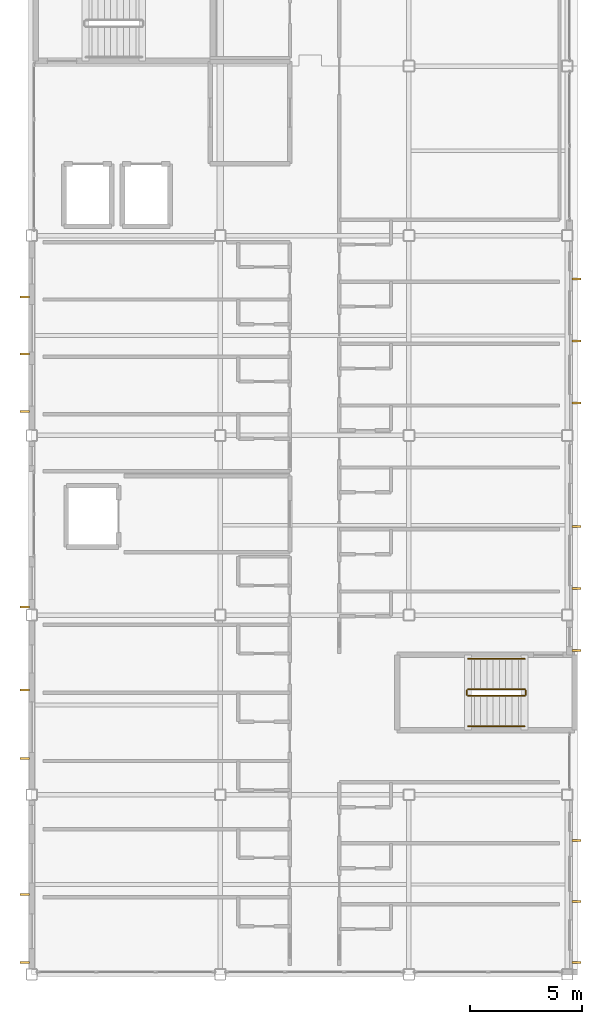
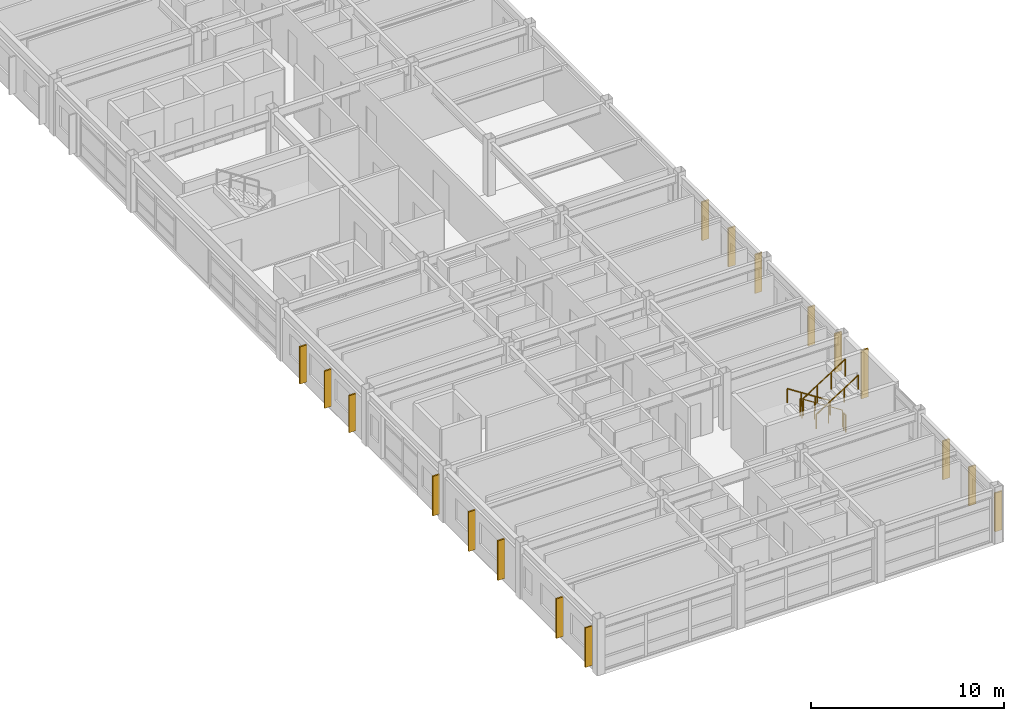
# One storey, part 33 of 35: 17 coverings, 6 railings.
"""IFC4 building model written with IfcOpenShell, lengths in metres."""

from ifc_helpers import new_model, si_unit, direction, frame, origin, origin_2d, place, context, subcontext, project, spatial, rectangle, circle, extrude, material, layer, layer_set, type_object, element, save


model = new_model("IFC4")

# Units and contexts
model_context = context("Model", 3, precision=1e-05, world=origin(), true_north=direction((0.0, 1.0)))
body_context = subcontext(model_context, "Body", "Model", "MODEL_VIEW")
ifc_project = project(units=[si_unit("LENGTHUNIT", "METRE"), si_unit("AREAUNIT", "SQUARE_METRE"), si_unit("VOLUMEUNIT", "CUBIC_METRE"), si_unit("PLANEANGLEUNIT", "RADIAN"), si_unit("MASSUNIT", "GRAM", prefix="KILO")], contexts=[model_context])

# Site, building, storey
site_placement = place(None, origin())
site = spatial("IfcSite", under=ifc_project, at=site_placement, CompositionType="ELEMENT")
building_placement = place(site_placement, origin())
building = spatial("IfcBuilding", under=site, at=building_placement, Name="Kazehara Bluff Congress Hotel", CompositionType="ELEMENT")
storey_placement = place(building_placement, frame((0.0, 0.0, 35.39990234375)))
storey = spatial("IfcBuildingStorey", under=building, at=storey_placement, Name="L08", CompositionType="ELEMENT", Elevation=35.39990234375)

# Coverings
ifc_material_1 = material(Name="Anodised aluminium architectural brise-soleil", Category="aluminium")
ifc_layer = layer(ifc_material_1, 0.090087890625)
ifc_layer_set = layer_set([ifc_layer], Name="Anodised aluminium architectural brise-soleil")
covering_type = type_object("IfcCoveringType", Name="TP-FFN-02", PredefinedType="CLADDING", material=ifc_layer_set)
for number, where, z_axis, x_axis, name in (
    (1, (167.9599609375, 8.52001953125, 0.20263671875), (0.0, 0.0, 1.0), (1.0, 0.0, 0.0), "L08 architectural vertical fin 51"),
    (2, (167.9599609375, 11.235107421875, 0.20263671875), (0.0, 0.0, 1.0), (1.0, 0.0, 0.0), "L08 architectural vertical fin 52"),
    (3, (167.9599609375, 13.955078125, 0.20263671875), (0.0, 0.0, 1.0), (1.0, 0.0, 0.0), "L08 architectural vertical fin 53"),
):
    element("IfcCovering", number, at=place(storey_placement, frame(where, z_axis=z_axis, x_axis=x_axis)), inside=storey, type_object=covering_type, Name=name, PredefinedType="CLADDING", context=body_context, shape_type="SweptSolid", body=[
        extrude(rectangle(XDim=0.419921875, YDim=0.090087890625, at=origin_2d()), origin(), (0.0, 0.0, 1.0), 2.455078125),
    ])
covering_placement = place(storey_placement, frame((167.9599609375, 22.419921875, 0.20263671875), z_axis=(0.0, 0.0, 1.0), x_axis=(1.0, 0.0, 0.0)))
element("IfcCovering", 4, at=covering_placement, inside=storey, type_object=covering_type, Name="L08 architectural vertical fin 54", PredefinedType="CLADDING", context=body_context, shape_type="SweptSolid", body=[
    extrude(rectangle(XDim=0.419921875, YDim=0.090087890625, at=origin_2d()), origin(), (0.0, 0.0, 1.0), 3.06494140625),
])
for number, where, z_axis, x_axis, name in (
    (5, (167.9599609375, 25.175048828125, 0.20263671875), (0.0, 0.0, 1.0), (1.0, 0.0, 0.0), "L08 architectural vertical fin 55"),
    (6, (167.9599609375, 27.93505859375, 0.20263671875), (0.0, 0.0, 1.0), (1.0, 0.0, 0.0), "L08 architectural vertical fin 56"),
    (7, (167.9599609375, 33.449951171875, 0.20263671875), (0.0, 0.0, 1.0), (1.0, 0.0, 0.0), "L08 architectural vertical fin 57"),
    (8, (167.9599609375, 36.205078125, 0.20263671875), (0.0, 0.0, 1.0), (1.0, 0.0, 0.0), "L08 architectural vertical fin 58"),
    (9, (167.9599609375, 38.965087890625, 0.20263671875), (0.0, 0.0, 1.0), (1.0, 0.0, 0.0), "L08 architectural vertical fin 59"),
):
    element("IfcCovering", number, at=place(storey_placement, frame(where, z_axis=z_axis, x_axis=x_axis)), inside=storey, type_object=covering_type, Name=name, PredefinedType="CLADDING", context=body_context, shape_type="SweptSolid", body=[
        extrude(rectangle(XDim=0.419921875, YDim=0.090087890625, at=origin_2d()), origin(), (0.0, 0.0, 1.0), 2.455078125),
    ])
for number, where, z_axis, x_axis, name in (
    (10, (143.389892578125, 8.52001953125, 0.20263671875), (0.0, 0.0, 1.0), (1.0, 0.0, 0.0), "L08 architectural vertical fin 72"),
    (11, (143.389892578125, 11.554931640625, 0.20263671875), (0.0, 0.0, 1.0), (1.0, 0.0, 0.0), "L08 architectural vertical fin 73"),
    (12, (143.389892578125, 17.6201171875, 0.20263671875), (0.0, 0.0, 1.0), (1.0, 0.0, 0.0), "L08 architectural vertical fin 74"),
    (13, (143.389892578125, 20.655029296875, 0.20263671875), (0.0, 0.0, 1.0), (1.0, 0.0, 0.0), "L08 architectural vertical fin 75"),
    (14, (143.389892578125, 24.3701171875, 0.20263671875), (0.0, 0.0, 1.0), (1.0, 0.0, 0.0), "L08 architectural vertical fin 76"),
):
    element("IfcCovering", number, at=place(storey_placement, frame(where, z_axis=z_axis, x_axis=x_axis)), inside=storey, type_object=covering_type, Name=name, PredefinedType="CLADDING", context=body_context, shape_type="SweptSolid", body=[
        extrude(rectangle(XDim=0.419921875, YDim=0.090087890625, at=origin_2d()), origin(), (0.0, 0.0, 1.0), 2.5048828125),
    ])
for number, where, z_axis, x_axis, name in (
    (15, (143.389892578125, 33.070068359375, 0.20263671875), (0.0, 0.0, 1.0), (1.0, 0.0, 0.0), "L08 architectural vertical fin 77"),
    (16, (143.389892578125, 35.6201171875, 0.20263671875), (0.0, 0.0, 1.0), (1.0, 0.0, 0.0), "L08 architectural vertical fin 78"),
    (17, (143.389892578125, 38.169921875, 0.20263671875), (0.0, 0.0, 1.0), (1.0, 0.0, 0.0), "L08 architectural vertical fin 79"),
):
    element("IfcCovering", number, at=place(storey_placement, frame(where, z_axis=z_axis, x_axis=x_axis)), inside=storey, type_object=covering_type, Name=name, PredefinedType="CLADDING", context=body_context, shape_type="SweptSolid", body=[
        extrude(rectangle(XDim=0.419921875, YDim=0.090087890625, at=origin_2d()), origin(), (0.0, 0.0, 1.0), 2.35498046875),
    ])

# Railings
ifc_material_2 = material(Name="Brushed stainless steel", Category="steel")
railing_type_1 = type_object("IfcRailingType", Name="TP-GRD-INT", PredefinedType="GUARDRAIL", material=ifc_material_2)
railing_1_placement = place(storey_placement, frame((165.64990234375, 20.699951171875, 0.18017578125)))
element("IfcRailing", 18, at=railing_1_placement, inside=storey, type_object=railing_type_1, Name="L08 ST-10 stair guard 1", PredefinedType="GUARDRAIL", context=body_context, shape_type="SweptSolid", body=[
    extrude(circle(Radius=0.02392578125, at=origin_2d()), frame((0.0, 0.0, 1.076171875), z_axis=(-0.841199657755, 0.0, 0.540724639528), x_axis=(0.0, -1.0, 0.0)), (0.0, 0.0, 1.0), 2.995849609375),
    extrude(circle(Radius=0.02099609375, at=origin_2d()), origin(), (0.0, 0.0, 1.0), 1.052001953125),
    extrude(circle(Radius=0.02099609375, at=origin_2d()), frame((-0.840087890625, 0.0, 0.5400390625)), (0.0, 0.0, 1.0), 1.052001953125),
    extrude(circle(Radius=0.02099609375, at=origin_2d()), frame((-1.679931640625, 0.0, 1.079833984375)), (0.0, 0.0, 1.0), 1.052001953125),
    extrude(circle(Radius=0.02099609375, at=origin_2d()), frame((-2.52001953125, 0.0, 1.619873046875)), (0.0, 0.0, 1.0), 1.052001953125),
])
railing_2_placement = place(storey_placement, frame((163.080078125, 20.64990234375, 1.800048828125)))
element("IfcRailing", 19, at=railing_2_placement, inside=storey, type_object=railing_type_1, Name="L08 ST-10 stair guard 2", PredefinedType="GUARDRAIL", context=body_context, shape_type="SweptSolid", body=[
    extrude(circle(Radius=0.02392578125, at=origin_2d()), frame((0.0, 0.0, 1.076171875), z_axis=(0.0, -1.0, 0.0), x_axis=(1.0, 0.0, 0.0)), (0.0, 0.0, 1.0), 0.199951171875),
    extrude(circle(Radius=0.02099609375, at=origin_2d()), origin(), (0.0, 0.0, 1.0), 1.052001953125),
    extrude(circle(Radius=0.02099609375, at=origin_2d()), frame((0.0, -0.199951171875, 0.0)), (0.0, 0.0, 1.0), 1.052001953125),
])
railing_3_placement = place(storey_placement, frame((163.1298828125, 20.39990234375, 1.97998046875)))
element("IfcRailing", 20, at=railing_3_placement, inside=storey, type_object=railing_type_1, Name="L08 ST-10 stair guard 3", PredefinedType="GUARDRAIL", context=body_context, shape_type="SweptSolid", body=[
    extrude(circle(Radius=0.02392578125, at=origin_2d()), frame((0.0, 0.0, 1.076171875), z_axis=(0.841162588446, 0.0, 0.540782303519), x_axis=(0.0, 1.0, 0.0)), (0.0, 0.0, 1.0), 2.995849609375),
    extrude(circle(Radius=0.02099609375, at=origin_2d()), origin(), (0.0, 0.0, 1.0), 1.052001953125),
    extrude(circle(Radius=0.02099609375, at=origin_2d()), frame((0.840087890625, 0.0, 0.5400390625)), (0.0, 0.0, 1.0), 1.052001953125),
    extrude(circle(Radius=0.02099609375, at=origin_2d()), frame((1.679931640625, 0.0, 1.080078125)), (0.0, 0.0, 1.0), 1.052001953125),
    extrude(circle(Radius=0.02099609375, at=origin_2d()), frame((2.52001953125, 0.0, 1.6201171875)), (0.0, 0.0, 1.0), 1.052001953125),
])
railing_4_placement = place(storey_placement, frame((165.699951171875, 20.64990234375, 0.0)))
element("IfcRailing", 21, at=railing_4_placement, inside=storey, type_object=railing_type_1, Name="L08 ST-10 stair guard 4", PredefinedType="GUARDRAIL", context=body_context, shape_type="SweptSolid", body=[
    extrude(circle(Radius=0.02392578125, at=origin_2d()), frame((0.0, 0.0, 1.076171875), z_axis=(0.0, -1.0, 0.0), x_axis=(1.0, 0.0, 0.0)), (0.0, 0.0, 1.0), 0.199951171875),
    extrude(circle(Radius=0.02099609375, at=origin_2d()), origin(), (0.0, 0.0, 1.0), 1.052001953125),
    extrude(circle(Radius=0.02099609375, at=origin_2d()), frame((0.0, -0.199951171875, 0.0)), (0.0, 0.0, 1.0), 1.052001953125),
])
ifc_material_3 = material(Name="Brushed stainless steel", Category="steel")
railing_type_2 = type_object("IfcRailingType", Name="TP-HR-INT", PredefinedType="HANDRAIL", material=ifc_material_3)
railing_5_placement = place(storey_placement, frame((165.64990234375, 22.050048828125, 0.18017578125)))
element("IfcRailing", 22, at=railing_5_placement, inside=storey, type_object=railing_type_2, Name="L08 ST-10 stair handrail 1", PredefinedType="HANDRAIL", context=body_context, shape_type="SweptSolid", body=[
    extrude(circle(Radius=0.02392578125, at=origin_2d()), frame((0.0, 0.0, 0.8759765625), z_axis=(-0.841199657755, 0.0, 0.540724639528), x_axis=(0.0, -1.0, 0.0)), (0.0, 0.0, 1.0), 2.995849609375),
    extrude(circle(Radius=0.02099609375, at=origin_2d()), origin(), (0.0, 0.0, 1.0), 0.851806640625),
    extrude(circle(Radius=0.02099609375, at=origin_2d()), frame((-0.840087890625, 0.0, 0.5400390625)), (0.0, 0.0, 1.0), 0.851806640625),
    extrude(circle(Radius=0.02099609375, at=origin_2d()), frame((-1.679931640625, 0.0, 1.079833984375)), (0.0, 0.0, 1.0), 0.851806640625),
    extrude(circle(Radius=0.02099609375, at=origin_2d()), frame((-2.52001953125, 0.0, 1.619873046875)), (0.0, 0.0, 1.0), 0.851806640625),
])
railing_6_placement = place(storey_placement, frame((163.1298828125, 19.050048828125, 1.97998046875)))
element("IfcRailing", 23, at=railing_6_placement, inside=storey, type_object=railing_type_2, Name="L08 ST-10 stair handrail 2", PredefinedType="HANDRAIL", context=body_context, shape_type="SweptSolid", body=[
    extrude(circle(Radius=0.02392578125, at=origin_2d()), frame((0.0, 0.0, 0.8759765625), z_axis=(0.841162588446, 0.0, 0.540782303519), x_axis=(0.0, 1.0, 0.0)), (0.0, 0.0, 1.0), 2.995849609375),
    extrude(circle(Radius=0.02099609375, at=origin_2d()), origin(), (0.0, 0.0, 1.0), 0.851806640625),
    extrude(circle(Radius=0.02099609375, at=origin_2d()), frame((0.840087890625, 0.0, 0.5400390625)), (0.0, 0.0, 1.0), 0.851806640625),
    extrude(circle(Radius=0.02099609375, at=origin_2d()), frame((1.679931640625, 0.0, 1.080078125)), (0.0, 0.0, 1.0), 0.851806640625),
    extrude(circle(Radius=0.02099609375, at=origin_2d()), frame((2.52001953125, 0.0, 1.6201171875)), (0.0, 0.0, 1.0), 0.851806640625),
])

save(model, "model.ifc")
